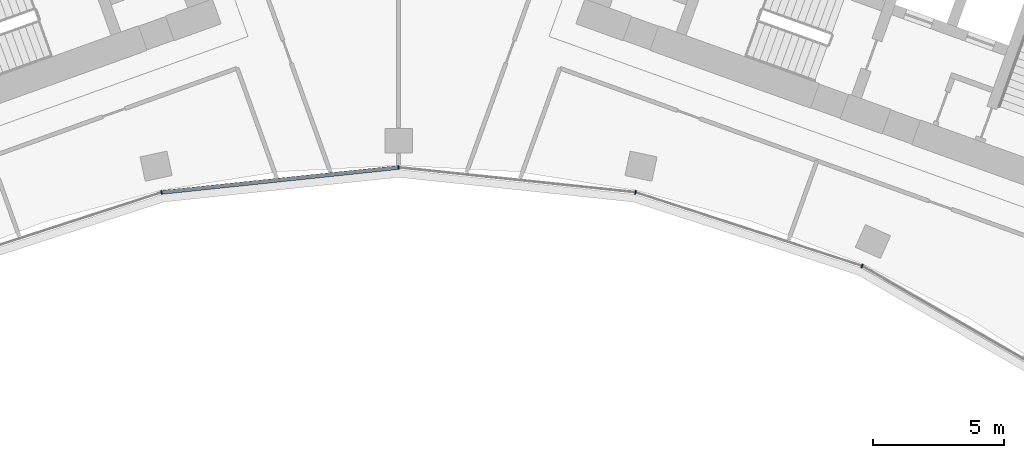
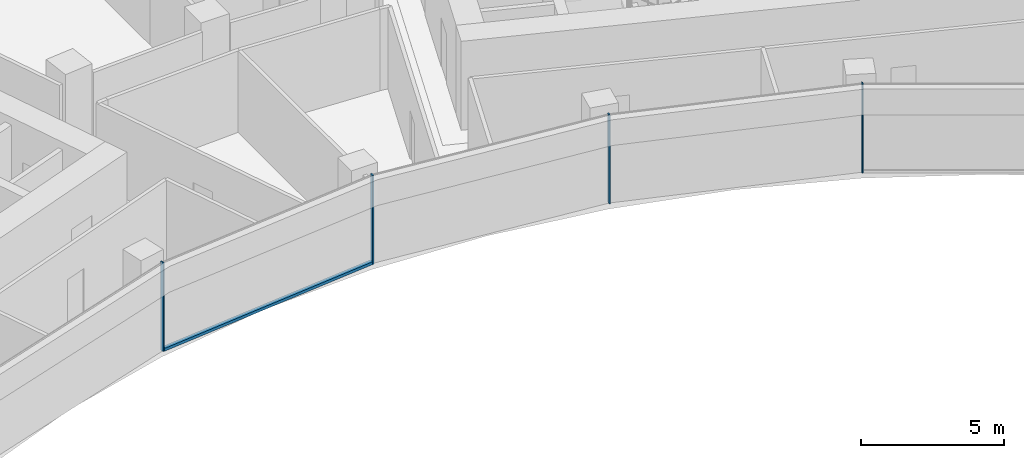
# One storey, part 4 of 20: 5 members, 1 element without a shape of its own.
"""IFC4 building model written with IfcOpenShell, lengths in metres."""

import ifcopenshell
import ifcopenshell.guid

model = None  # the IFC model being written
_history = None  # IfcOwnerHistory: only IFC2X3 demands one
_inside = {}  # id of a spatial element -> (the spatial element, [elements in it])
_under = {}  # id of a project, library or spatial element -> (it, [spatial elements below it])
_declared = {}  # id of a project -> (the project, [libraries it declares])
_typed = {}  # id of a type object -> (the type object, [elements of that type])
_made_of = {}  # id of a material, layer set ... -> (it, [elements and type objects made of it])


def new_model(schema):
    """Start an empty IFC model of exactly this schema.

    Asked for "IFC4X3", IfcOpenShell would pick the latest addendum, in which some entities
    have other attributes; the version numbers below select the first issue.
    IFC2X3 requires an IfcOwnerHistory on every rooted entity: one is made here for all.
    """
    global model, _history
    if schema == "IFC4X3":
        model = ifcopenshell.file(schema_version=(4, 3, 0, 0))
    else:
        model = ifcopenshell.file(schema=schema)
    _inside.clear()
    _under.clear()
    _declared.clear()
    _typed.clear()
    _made_of.clear()
    _history = None
    if model.schema == "IFC2X3":
        org = make("IfcOrganization", Name="unknown")
        user = make(
            "IfcPersonAndOrganization",
            ThePerson=make("IfcPerson", FamilyName="unknown"),
            TheOrganization=org,
        )
        app = make(
            "IfcApplication",
            ApplicationDeveloper=org,
            Version="unknown",
            ApplicationFullName="unknown",
            ApplicationIdentifier="unknown",
        )
        _history = make(
            "IfcOwnerHistory",
            OwningUser=user,
            OwningApplication=app,
            ChangeAction="ADDED",
            CreationDate=0,
        )
    return model


def make(cls, **values):
    """One entity of the class cls with the attributes given. An attribute that is None is left unset."""
    return model.create_entity(
        cls, **{name: value for name, value in values.items() if value is not None}
    )


def rooted(cls, **values):
    """An entity with a GlobalId (a new one), such as an element, a storey or a relation."""
    return make(cls, GlobalId=ifcopenshell.guid.new(), OwnerHistory=_history, **values)


def si_unit(unit_type, name, prefix=None):
    """IfcSIUnit, for example si_unit("LENGTHUNIT", "METRE", prefix="MILLI")."""
    return make("IfcSIUnit", UnitType=unit_type, Prefix=prefix, Name=name)


def assignment(units):
    """IfcUnitAssignment: the units of a project."""
    return None if units is None else make("IfcUnitAssignment", Units=units)


def point(xyz):
    """IfcCartesianPoint."""
    return None if xyz is None else make("IfcCartesianPoint", Coordinates=xyz)


def direction(xyz):
    """IfcDirection."""
    return None if xyz is None else make("IfcDirection", DirectionRatios=xyz)


def frame(location, z_axis=None, x_axis=None):
    """IfcAxis2Placement3D, a coordinate frame: its origin and axes. An axis left out is left unset."""
    return make(
        "IfcAxis2Placement3D",
        Location=point(location),
        Axis=direction(z_axis),
        RefDirection=direction(x_axis),
    )


def frame_2d(location, x_axis=None):
    """IfcAxis2Placement2D, a coordinate frame in the plane: its origin and x axis."""
    return make(
        "IfcAxis2Placement2D", Location=point(location), RefDirection=direction(x_axis)
    )


def origin():
    """The frame at (0, 0, 0) with its axes left unset."""
    return frame((0.0, 0.0, 0.0))


def origin_2d():
    """The frame at (0, 0) in the plane with its x axis left unset."""
    return frame_2d((0.0, 0.0))


def place(relative_to, where):
    """IfcLocalPlacement: puts the frame where relative to a parent placement (None: the world)."""
    return make(
        "IfcLocalPlacement", PlacementRelTo=relative_to, RelativePlacement=where
    )


def context(
    kind, dimensions, precision=None, world=None, true_north=None, identifier=None
):
    """IfcGeometricRepresentationContext, for example the 3D "Model" context."""
    return make(
        "IfcGeometricRepresentationContext",
        ContextIdentifier=identifier,
        ContextType=kind,
        CoordinateSpaceDimension=dimensions,
        Precision=precision,
        WorldCoordinateSystem=world,
        TrueNorth=true_north,
    )


def subcontext(parent, identifier, kind, view, scale=None):
    """IfcGeometricRepresentationSubContext, for example "Body" below "Model"."""
    return make(
        "IfcGeometricRepresentationSubContext",
        ContextIdentifier=identifier,
        ContextType=kind,
        ParentContext=parent,
        TargetScale=scale,
        TargetView=view,
    )


def project(units=None, contexts=None):
    """IfcProject with its units and contexts."""
    return rooted(
        "IfcProject",
        Name="project",
        RepresentationContexts=contexts,
        UnitsInContext=assignment(units),
    )


def spatial(cls, under=None, at=None, **own):
    """A site, building, storey or space (cls), placed at a placement, below another one or the project."""
    s = rooted(cls, ObjectPlacement=at, **own)
    if under is not None:
        _under.setdefault(under.id(), (under, []))[1].append(s)
    return s


def profile(cls, at=None, kind="AREA", **sizes):
    """A parametric profile (cls). Its sizes go by their IFC names, for example OverallWidth=200.0."""
    return make(cls, ProfileType=kind, Position=at, **sizes)


def rectangle(**sizes):
    """IfcRectangleProfileDef."""
    return profile("IfcRectangleProfileDef", **sizes)


def extrude(swept, where, along, depth):
    """IfcExtrudedAreaSolid: the profile swept, set in the frame where, extruded along a direction by depth."""
    return make(
        "IfcExtrudedAreaSolid",
        SweptArea=swept,
        Position=where,
        ExtrudedDirection=direction(along),
        Depth=depth,
    )


def shape(context_of_items, identifier, shape_type, items):
    """IfcShapeRepresentation: the items that make up one representation, for example the "Body"."""
    return make(
        "IfcShapeRepresentation",
        ContextOfItems=context_of_items,
        RepresentationIdentifier=identifier,
        RepresentationType=shape_type,
        Items=items,
    )


def material(Name=None, Category=None):
    """IfcMaterial."""
    return make("IfcMaterial", Name=Name, Category=Category)


def layer(
    of_material, thickness, ventilated=None, Name=None, Category=None, Priority=None
):
    """IfcMaterialLayer: one layer of a wall or slab, of a material (None: an air gap)."""
    return make(
        "IfcMaterialLayer",
        Material=of_material,
        LayerThickness=thickness,
        IsVentilated=ventilated,
        Name=Name,
        Category=Category,
        Priority=Priority,
    )


def layer_set(layers, Name=None):
    """IfcMaterialLayerSet."""
    return make("IfcMaterialLayerSet", MaterialLayers=layers, LayerSetName=Name)


def material_profile(
    of_material, cross_section, Name=None, Category=None, Priority=None
):
    """IfcMaterialProfile: a cross section and its material."""
    return make(
        "IfcMaterialProfile",
        Name=Name,
        Material=of_material,
        Profile=cross_section,
        Priority=Priority,
        Category=Category,
    )


def profile_set(profiles, Name=None, composite=None):
    """IfcMaterialProfileSet."""
    return make(
        "IfcMaterialProfileSet",
        Name=Name,
        MaterialProfiles=profiles,
        CompositeProfile=composite,
    )


def made_of(thing, what):
    """Note that an element or type object is made of a material, layer set ...; save() writes the relation."""
    if what is not None:
        _made_of.setdefault(what.id(), (what, []))[1].append(thing)
    return thing


def type_object(cls, material=None, **own):
    """A type object (cls), such as IfcWallType, which elements share."""
    return made_of(rooted(cls, **own), material)


def element(
    cls,
    number,
    at=None,
    inside=None,
    cuts=None,
    type_object=None,
    material=None,
    context=None,
    identifier="Body",
    shape_type=None,
    held_by="IfcProductDefinitionShape",
    body=None,
    shapes=None,
    **own,
):
    """One element of the class cls, such as IfcWall. Its Tag is "e" and its number.

    at: its placement. inside: the storey or other place that contains it. cuts: it is an
    opening in that element (IfcRelVoidsElement). A single representation is given by context,
    identifier, shape_type and body (its items); several are given by shapes. held_by: the class
    of the entity that holds the representations. save() writes the other relations.
    """
    e = rooted(cls, Tag="e%d" % number, ObjectPlacement=at, **own)
    if body is not None:
        shapes = [shape(context, identifier, shape_type, body)]
    if shapes is not None:
        e.Representation = make(held_by, Representations=shapes)
    if inside is not None:
        _inside.setdefault(inside.id(), (inside, []))[1].append(e)
    if cuts is not None:
        rooted(
            "IfcRelVoidsElement", RelatingBuildingElement=cuts, RelatedOpeningElement=e
        )
    if type_object is not None:
        _typed.setdefault(type_object.id(), (type_object, []))[1].append(e)
    return made_of(e, material)


def aggregate(whole, parts):
    """IfcRelAggregates: a whole, such as a stair, and the parts it consists of."""
    return rooted("IfcRelAggregates", RelatingObject=whole, RelatedObjects=parts)


def save(model, path):
    """Write the relations noted so far, then the file.

    IfcRelAggregates (storeys below a building ...), IfcRelContainedInSpatialStructure (elements
    in a storey), IfcRelDefinesByType, IfcRelAssociatesMaterial and IfcRelDeclares: one each for
    every whole, place, type object, material and project.
    """
    for whole, parts in _under.values():
        aggregate(whole, parts)
    for where, things in _inside.values():
        rooted(
            "IfcRelContainedInSpatialStructure",
            RelatedElements=things,
            RelatingStructure=where,
        )
    for kind, things in _typed.values():
        rooted("IfcRelDefinesByType", RelatedObjects=things, RelatingType=kind)
    for what, things in _made_of.values():
        rooted("IfcRelAssociatesMaterial", RelatedObjects=things, RelatingMaterial=what)
    for by, libraries in _declared.values():
        rooted("IfcRelDeclares", RelatingContext=by, RelatedDefinitions=libraries)
    model.write(path)


model = new_model("IFC4")

# Units and contexts
model_context = context("Model", 3, precision=1e-05, world=origin(), true_north=direction((0.0, 1.0)))
body_context = subcontext(model_context, "Body", "Model", "MODEL_VIEW")
ifc_project = project(units=[si_unit("LENGTHUNIT", "METRE"), si_unit("AREAUNIT", "SQUARE_METRE"), si_unit("VOLUMEUNIT", "CUBIC_METRE"), si_unit("PLANEANGLEUNIT", "RADIAN"), si_unit("MASSUNIT", "GRAM", prefix="KILO")], contexts=[model_context])

# Site, building, storey
site_placement = place(None, origin())
site = spatial("IfcSite", under=ifc_project, at=site_placement, CompositionType="ELEMENT")
building_placement = place(site_placement, origin())
building = spatial("IfcBuilding", under=site, at=building_placement, Name="Stone Belt Terrace Tower", CompositionType="ELEMENT")
storey_placement = place(building_placement, frame((0.0, 0.0, 216.199951171875)))
storey = spatial("IfcBuildingStorey", under=building, at=storey_placement, Name="L52", CompositionType="ELEMENT", Elevation=216.199951171875)

# Curtain wall, members
ifc_material = material(Name="Aluminium 6063-T6 anodised frame", Category="aluminium")
ifc_layer = layer(ifc_material, 0.14990234375)
ifc_layer_set = layer_set([ifc_layer], Name="CW-B unitised concave-face curtain wall")
curtain_wall_type = type_object("IfcCurtainWallType", Name="CW-B unitised concave-face curtain wall", PredefinedType="NOTDEFINED", material=ifc_layer_set)
curtain_wall_placement = place(storey_placement, origin())
curtain_wall = element("IfcCurtainWall", 1, at=curtain_wall_placement, inside=storey, type_object=curtain_wall_type, Name="CW-B concave face L52", PredefinedType="NOTDEFINED")
ifc_material_profile_1 = material_profile(ifc_material, rectangle(XDim=0.14990234375, YDim=0.050048828125, at=origin_2d()), Name="Aluminium 6063-T6 50x150")
ifc_profile_set_1 = profile_set([ifc_material_profile_1], Name="Aluminium 6063-T6 anodised frame")
member_type_1 = type_object("IfcMemberType", Name="CW-B mullion 50 x 150", PredefinedType="MULLION", material=ifc_profile_set_1)
member_1_placement = place(storey_placement, frame((-9.028564453125, 42.4755859375, 0.0), z_axis=(0.0, 0.0, 1.0), x_axis=(-0.207911690818, 0.978147600734, 0.0)))
member_1 = element("IfcMember", 2, at=member_1_placement, type_object=member_type_1, Name="CW-B mullion 4", PredefinedType="MULLION", context=body_context, shape_type="SweptSolid", body=[
    extrude(rectangle(XDim=0.14990234375, YDim=0.050048828125, at=origin_2d()), origin(), (0.0, 0.0, 1.0), 3.800048828125),
])
member_2_placement = place(storey_placement, frame((0.0, 43.424560546875, 0.0), z_axis=(0.0, 0.0, 1.0), x_axis=(0.0, 1.0, 0.0)))
member_2 = element("IfcMember", 3, at=member_2_placement, type_object=member_type_1, Name="CW-B mullion 5", PredefinedType="MULLION", context=body_context, shape_type="SweptSolid", body=[
    extrude(rectangle(XDim=0.14990234375, YDim=0.050048828125, at=origin_2d()), origin(), (0.0, 0.0, 1.0), 3.800048828125),
])
member_3_placement = place(storey_placement, frame((9.028564453125, 42.4755859375, 0.0), z_axis=(0.0, 0.0, 1.0), x_axis=(0.207911690818, 0.978147600734, 0.0)))
member_3 = element("IfcMember", 4, at=member_3_placement, type_object=member_type_1, Name="CW-B mullion 6", PredefinedType="MULLION", context=body_context, shape_type="SweptSolid", body=[
    extrude(rectangle(XDim=0.14990234375, YDim=0.050048828125, at=origin_2d()), origin(), (0.0, 0.0, 1.0), 3.800048828125),
])
member_4_placement = place(storey_placement, frame((17.662353515625, 39.67041015625, 0.0), z_axis=(0.0, 0.0, 1.0), x_axis=(0.406736643076, 0.913545457643, 0.0)))
member_4 = element("IfcMember", 5, at=member_4_placement, type_object=member_type_1, Name="CW-B mullion 7", PredefinedType="MULLION", context=body_context, shape_type="SweptSolid", body=[
    extrude(rectangle(XDim=0.14990234375, YDim=0.050048828125, at=origin_2d()), origin(), (0.0, 0.0, 1.0), 3.800048828125),
])
ifc_material_profile_2 = material_profile(ifc_material, rectangle(XDim=0.14990234375, YDim=0.1201171875, at=origin_2d()), Name="Aluminium 6063-T6 150x120")
ifc_profile_set_2 = profile_set([ifc_material_profile_2], Name="Aluminium 6063-T6 anodised frame")
member_type_2 = type_object("IfcMemberType", Name="CW-B transom 120 x 150", PredefinedType="USERDEFINED", material=ifc_profile_set_2)
member_5_placement = place(storey_placement, frame((-8.995849609375, 42.47900390625, 0.06005859375), z_axis=(0.994521323407, 0.104533904969, 0.0), x_axis=(-0.104533904969, 0.994521323407, 0.0)))
member_5 = element("IfcMember", 6, at=member_5_placement, type_object=member_type_2, Name="CW-B transom 4.1", ObjectType="TRANSOM", PredefinedType="USERDEFINED", context=body_context, shape_type="SweptSolid", body=[
    extrude(rectangle(XDim=0.14990234375, YDim=0.1201171875, at=origin_2d()), origin(), (0.0, 0.0, 1.0), 9.0126953125),
])
aggregate(curtain_wall, [member_1, member_2, member_3, member_4, member_5])

save(model, "model.ifc")
